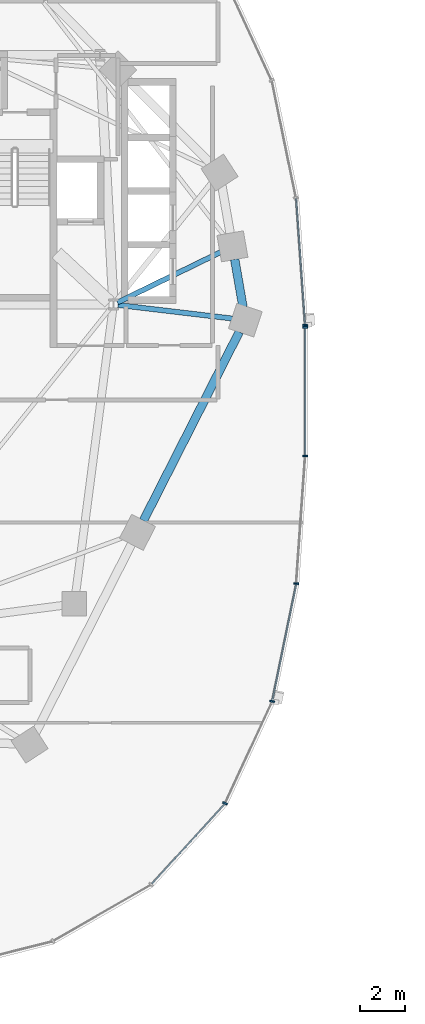
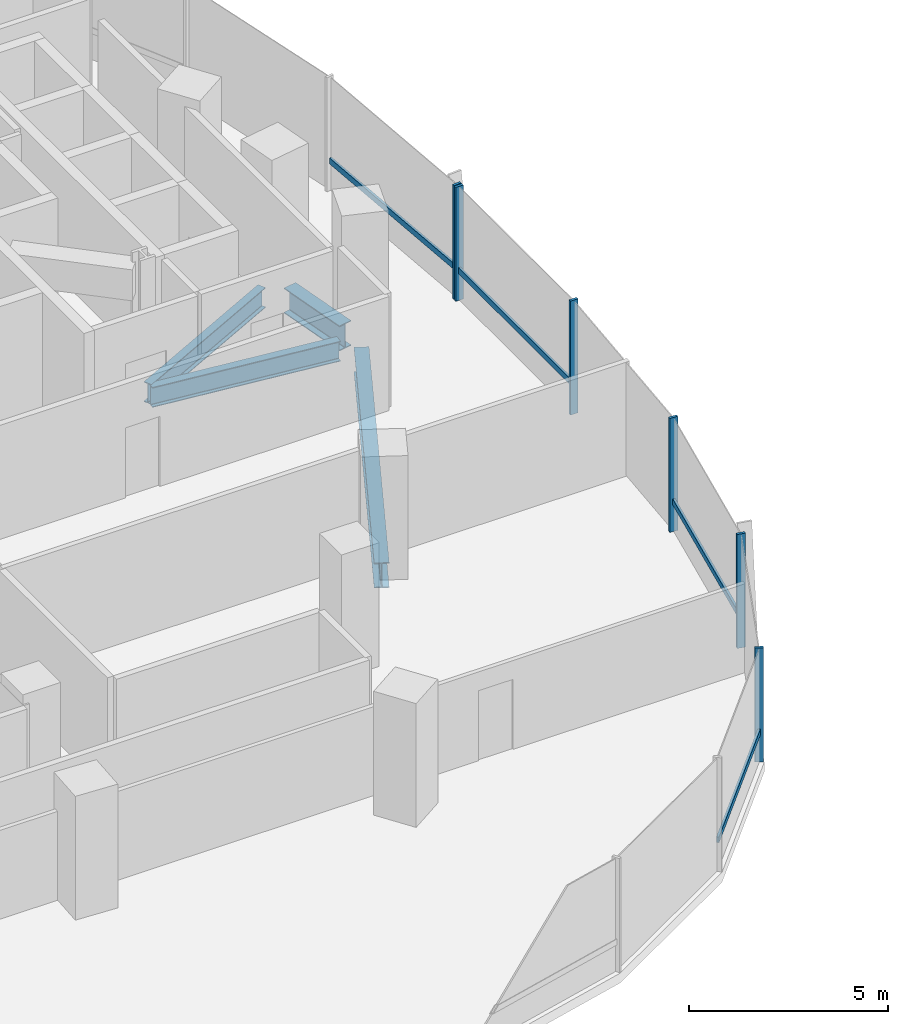
# One storey, part 3 of 21: 10 members, 4 beams, 2 elements without a shape of their own.
"""IFC4 building model written with IfcOpenShell, lengths in metres."""

from ifc_helpers import new_model, si_unit, direction, frame, origin, origin_2d, place, context, subcontext, project, spatial, rectangle, i_section, extrude, material, material_profile, profile_set, type_object, element, aggregate, save


model = new_model("IFC4")

# Units and contexts
model_context = context("Model", 3, precision=1e-05, world=origin(), true_north=direction((0.0, 1.0)))
body_context = subcontext(model_context, "Body", "Model", "MODEL_VIEW")
ifc_project = project(units=[si_unit("LENGTHUNIT", "METRE"), si_unit("AREAUNIT", "SQUARE_METRE"), si_unit("VOLUMEUNIT", "CUBIC_METRE"), si_unit("PLANEANGLEUNIT", "RADIAN"), si_unit("MASSUNIT", "GRAM", prefix="KILO"), si_unit("THERMODYNAMICTEMPERATUREUNIT", "KELVIN"), si_unit("POWERUNIT", "WATT")], contexts=[model_context])

# Site, building, storey
site_placement = place(None, origin())
site = spatial("IfcSite", under=ifc_project, at=site_placement, CompositionType="ELEMENT")
building_placement = place(site_placement, origin())
building = spatial("IfcBuilding", under=site, at=building_placement, Name="Cundina Bronze Exchange", CompositionType="ELEMENT")
storey_placement = place(building_placement, frame((0.0, 0.0, 65.800048828125)))
storey = spatial("IfcBuildingStorey", under=building, at=storey_placement, Name="L16", CompositionType="ELEMENT", Elevation=65.800048828125)

# Beams
ifc_material_1 = material(Name="Steel ASTM A992 Grade 50", Category="steel")
ifc_material_profile_1 = material_profile(ifc_material_1, i_section(OverallWidth=0.22998046875, OverallDepth=0.616943359375, WebThickness=0.01318359375, FlangeThickness=0.022216796875, FilletRadius=0.013916015625, at=origin_2d()), Name="W24X94", Category="steel")
ifc_profile_set_1 = profile_set([ifc_material_profile_1], Name="Steel ASTM A992 Grade 50")
beam_type_1 = type_object("IfcBeamType", Name="BM-FLR-W24B", PredefinedType="BEAM", material=ifc_profile_set_1)
beam_1_placement = place(storey_placement, frame((-21.247314453125, 3.8759765625, -0.608642578125), z_axis=(0.993035236117, -0.117817739878, 0.0), x_axis=(0.117817739878, 0.993035236117, 0.0)))
element("IfcBeam", 1, at=beam_1_placement, inside=storey, type_object=beam_type_1, Name="L16 Leg W Radial Floor Beam 00", PredefinedType="BEAM", context=body_context, shape_type="SweptSolid", body=[
    extrude(i_section(OverallWidth=0.22998046875, OverallDepth=0.616943359375, WebThickness=0.01318359375, FlangeThickness=0.022216796875, FilletRadius=0.013916015625, at=origin_2d()), origin(), (0.0, 0.0, 1.0), 5.1494140625),
])
beam_2_placement = place(storey_placement, frame((-21.2666015625, 3.989501953125, -0.608642578125), z_axis=(0.898610249448, 0.438747785849, 0.0), x_axis=(-0.438747785849, 0.898610249448, 0.0)))
element("IfcBeam", 2, at=beam_2_placement, inside=storey, type_object=beam_type_1, Name="L16 Leg W Radial Floor Beam 01", PredefinedType="BEAM", context=body_context, shape_type="SweptSolid", body=[
    extrude(i_section(OverallWidth=0.22998046875, OverallDepth=0.616943359375, WebThickness=0.01318359375, FlangeThickness=0.022216796875, FilletRadius=0.013916015625, at=origin_2d()), origin(), (0.0, 0.0, 1.0), 5.1337890625),
])
ifc_material_profile_2 = material_profile(ifc_material_1, i_section(OverallWidth=0.381103515625, OverallDepth=0.77294921875, WebThickness=0.0166015625, FlangeThickness=0.027099609375, FilletRadius=0.01904296875, at=origin_2d()), Name="W30X173", Category="steel")
ifc_profile_set_2 = profile_set([ifc_material_profile_2], Name="Steel ASTM A992 Grade 50")
beam_type_2 = type_object("IfcBeamType", Name="BM-RING-W30", PredefinedType="USERDEFINED", material=ifc_profile_set_2)
beam_3_placement = place(storey_placement, frame((-15.65087890625, 3.779296875, -0.6865234375), z_axis=(-0.171734584051, 0.985143254883, 0.0), x_axis=(-0.985143254883, -0.171734584051, 0.0)))
element("IfcBeam", 3, at=beam_3_placement, inside=storey, type_object=beam_type_2, Name="L16 W Perimeter Ring Girder 00", ObjectType="GIRDER", PredefinedType="USERDEFINED", context=body_context, shape_type="SweptSolid", body=[
    extrude(i_section(OverallWidth=0.381103515625, OverallDepth=0.77294921875, WebThickness=0.0166015625, FlangeThickness=0.027099609375, FilletRadius=0.01904296875, at=origin_2d()), origin(), (0.0, 0.0, 1.0), 2.173583984375),
])
beam_4_placement = place(storey_placement, frame((-20.108642578125, -5.775634765625, -0.6865234375), z_axis=(0.452819633606, 0.891602141889, 0.0), x_axis=(-0.891602141889, 0.452819633606, 0.0)))
element("IfcBeam", 4, at=beam_4_placement, inside=storey, type_object=beam_type_2, Name="L16 W Perimeter Ring Girder 13", ObjectType="GIRDER", PredefinedType="USERDEFINED", context=body_context, shape_type="SweptSolid", body=[
    extrude(i_section(OverallWidth=0.381103515625, OverallDepth=0.77294921875, WebThickness=0.0166015625, FlangeThickness=0.027099609375, FilletRadius=0.01904296875, at=origin_2d()), origin(), (0.0, 0.0, 1.0), 9.47900390625),
])

# Curtain wall, member
ifc_material_2 = material(Name="Anodised Bronze Aluminium 6063-T6", Category="aluminium")
curtain_wall_type = type_object("IfcCurtainWallType", Name="CWS-TRD-LOW", PredefinedType="NOTDEFINED", material=ifc_material_2)
curtain_wall_1_placement = place(storey_placement, origin())
curtain_wall_1 = element("IfcCurtainWall", 5, at=curtain_wall_1_placement, inside=storey, type_object=curtain_wall_type, Name="L16 CW-02 Curtain Wall Run CWR-L16-W1", PredefinedType="NOTDEFINED")
ifc_material_profile_3 = material_profile(ifc_material_2, rectangle(XDim=0.074951171875, YDim=0.219970703125, at=origin_2d()), Name="AL75X220", Category="aluminium")
ifc_profile_set_3 = profile_set([ifc_material_profile_3], Name="Anodised Bronze Aluminium 6063-T6")
member_type_1 = type_object("IfcMemberType", Name="CWM-MUL-220", PredefinedType="MULLION", material=ifc_profile_set_3)
member_1_placement = place(storey_placement, frame((-12.87548828125, 2.976318359375, 0.0), z_axis=(0.0, 0.0, 1.0), x_axis=(-0.070278787473, 0.997527389113, 0.0)))
member_1 = element("IfcMember", 6, at=member_1_placement, type_object=member_type_1, Name="CW-02 Mullion 1", PredefinedType="MULLION", context=body_context, shape_type="SweptSolid", body=[
    extrude(rectangle(XDim=0.074951171875, YDim=0.219970703125, at=origin_2d()), origin(), (0.0, 0.0, 1.0), 3.5),
])

# Curtain wall, members
curtain_wall_2_placement = place(storey_placement, origin())
curtain_wall_2 = element("IfcCurtainWall", 7, at=curtain_wall_2_placement, inside=storey, type_object=curtain_wall_type, Name="L16 CW-02 Curtain Wall Run CWR-L16-W4", PredefinedType="NOTDEFINED")
member_2_placement = place(storey_placement, frame((-16.455810546875, -18.423583984375, 0.0), z_axis=(0.0, 0.0, 1.0), x_axis=(0.42087749791, 0.907117485088, 0.0)))
member_2 = element("IfcMember", 8, at=member_2_placement, type_object=member_type_1, Name="CW-02 Mullion 4", PredefinedType="MULLION", context=body_context, shape_type="SweptSolid", body=[
    extrude(rectangle(XDim=0.074951171875, YDim=0.219970703125, at=origin_2d()), origin(), (0.0, 0.0, 1.0), 3.5),
])
member_3_placement = place(storey_placement, frame((-14.348876953125, -13.861328125, 0.0), z_axis=(0.0, 0.0, 1.0), x_axis=(0.201419845156, 0.979505000486, 0.0)))
member_3 = element("IfcMember", 9, at=member_3_placement, type_object=member_type_1, Name="CW-02 Mullion 5", PredefinedType="MULLION", context=body_context, shape_type="SweptSolid", body=[
    extrude(rectangle(XDim=0.074951171875, YDim=0.219970703125, at=origin_2d()), origin(), (0.0, 0.0, 1.0), 3.5),
])
member_4_placement = place(storey_placement, frame((-13.27099609375, -8.591552734375, 0.0), z_axis=(0.0, 0.0, 1.0), x_axis=(0.070278787473, 0.997527389113, 0.0)))
member_4 = element("IfcMember", 10, at=member_4_placement, type_object=member_type_1, Name="CW-02 Mullion 6", PredefinedType="MULLION", context=body_context, shape_type="SweptSolid", body=[
    extrude(rectangle(XDim=0.074951171875, YDim=0.219970703125, at=origin_2d()), origin(), (0.0, 0.0, 1.0), 3.5),
])
member_5_placement = place(storey_placement, frame((-12.8720703125, -2.880615234375, 0.0), z_axis=(0.0, 0.0, 1.0), x_axis=(0.0, 1.0, 0.0)))
member_5 = element("IfcMember", 11, at=member_5_placement, type_object=member_type_1, Name="CW-02 Mullion 7", PredefinedType="MULLION", context=body_context, shape_type="SweptSolid", body=[
    extrude(rectangle(XDim=0.074951171875, YDim=0.219970703125, at=origin_2d()), origin(), (0.0, 0.0, 1.0), 3.5),
])
member_6_placement = place(storey_placement, frame((-12.8720703125, 2.880615234375, 0.0), z_axis=(0.0, 0.0, 1.0), x_axis=(0.0, 1.0, 0.0)))
member_6 = element("IfcMember", 12, at=member_6_placement, type_object=member_type_1, Name="CW-02 End Mullion", PredefinedType="MULLION", context=body_context, shape_type="SweptSolid", body=[
    extrude(rectangle(XDim=0.074951171875, YDim=0.219970703125, at=origin_2d()), origin(), (0.0, 0.0, 1.0), 3.5),
])

# Member
ifc_material_profile_4 = material_profile(ifc_material_2, rectangle(XDim=0.070068359375, YDim=0.179931640625, at=origin_2d()), Name="AL70X180", Category="aluminium")
ifc_profile_set_4 = profile_set([ifc_material_profile_4], Name="Anodised Bronze Aluminium 6063-T6")
member_type_2 = type_object("IfcMemberType", Name="CWM-TRN-180", PredefinedType="USERDEFINED", material=ifc_profile_set_4)
member_7_placement = place(storey_placement, frame((-12.87841796875, 3.017333984375, 0.919921875), z_axis=(-0.070260714471, 0.997528662246, 0.0), x_axis=(-0.997528662246, -0.070260714471, 0.0)))
member_7 = element("IfcMember", 13, at=member_7_placement, type_object=member_type_2, Name="CW-02 Spandrel Transom 1", ObjectType="TRANSOM", PredefinedType="USERDEFINED", context=body_context, shape_type="SweptSolid", body=[
    extrude(rectangle(XDim=0.070068359375, YDim=0.179931640625, at=origin_2d()), origin(), (0.0, 0.0, 1.0), 5.629150390625),
])

aggregate(curtain_wall_1, [member_1, member_7])

member_8_placement = place(storey_placement, frame((-19.73291015625, -22.027099609375, 0.919921875), z_axis=(0.674302794847, 0.738454968743, 0.0), x_axis=(-0.738454968743, 0.674302794847, 0.0)))
member_8 = element("IfcMember", 14, at=member_8_placement, type_object=member_type_2, Name="CW-02 Spandrel Transom 3", ObjectType="TRANSOM", PredefinedType="USERDEFINED", context=body_context, shape_type="SweptSolid", body=[
    extrude(rectangle(XDim=0.070068359375, YDim=0.179931640625, at=origin_2d()), origin(), (0.0, 0.0, 1.0), 4.848388671875),
])

member_9_placement = place(storey_placement, frame((-14.340576171875, -13.821044921875, 0.919921875), z_axis=(0.201427712708, 0.979503382615, 0.0), x_axis=(-0.979503382615, 0.201427712708, 0.0)))
member_9 = element("IfcMember", 15, at=member_9_placement, type_object=member_type_2, Name="CW-02 Spandrel Transom 5", ObjectType="TRANSOM", PredefinedType="USERDEFINED", context=body_context, shape_type="SweptSolid", body=[
    extrude(rectangle(XDim=0.070068359375, YDim=0.179931640625, at=origin_2d()), origin(), (0.0, 0.0, 1.0), 5.291748046875),
])

member_10_placement = place(storey_placement, frame((-12.8720703125, -2.839111328125, 0.919921875), z_axis=(0.0, 1.0, 0.0), x_axis=(-1.0, 0.0, 0.0)))
member_10 = element("IfcMember", 16, at=member_10_placement, type_object=member_type_2, Name="CW-02 Spandrel Transom 7", ObjectType="TRANSOM", PredefinedType="USERDEFINED", context=body_context, shape_type="SweptSolid", body=[
    extrude(rectangle(XDim=0.070068359375, YDim=0.179931640625, at=origin_2d()), origin(), (0.0, 0.0, 1.0), 5.67822265625),
])

aggregate(curtain_wall_2, [member_8, member_2, member_3, member_9, member_4, member_5, member_6, member_10])

save(model, "model.ifc")
